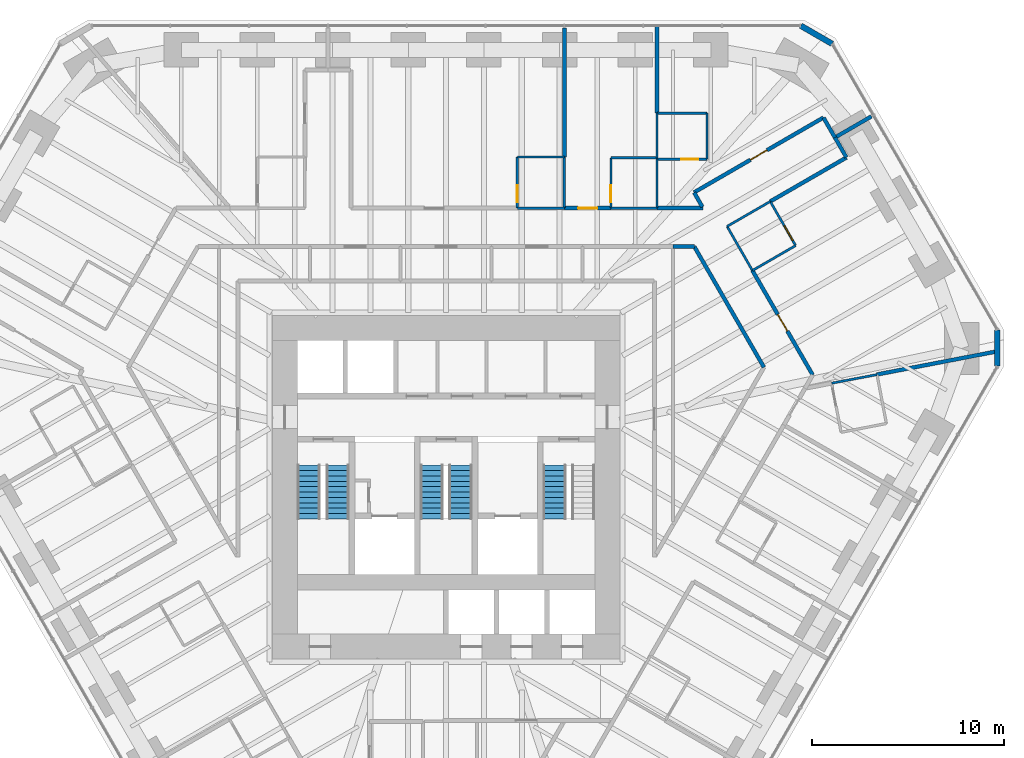
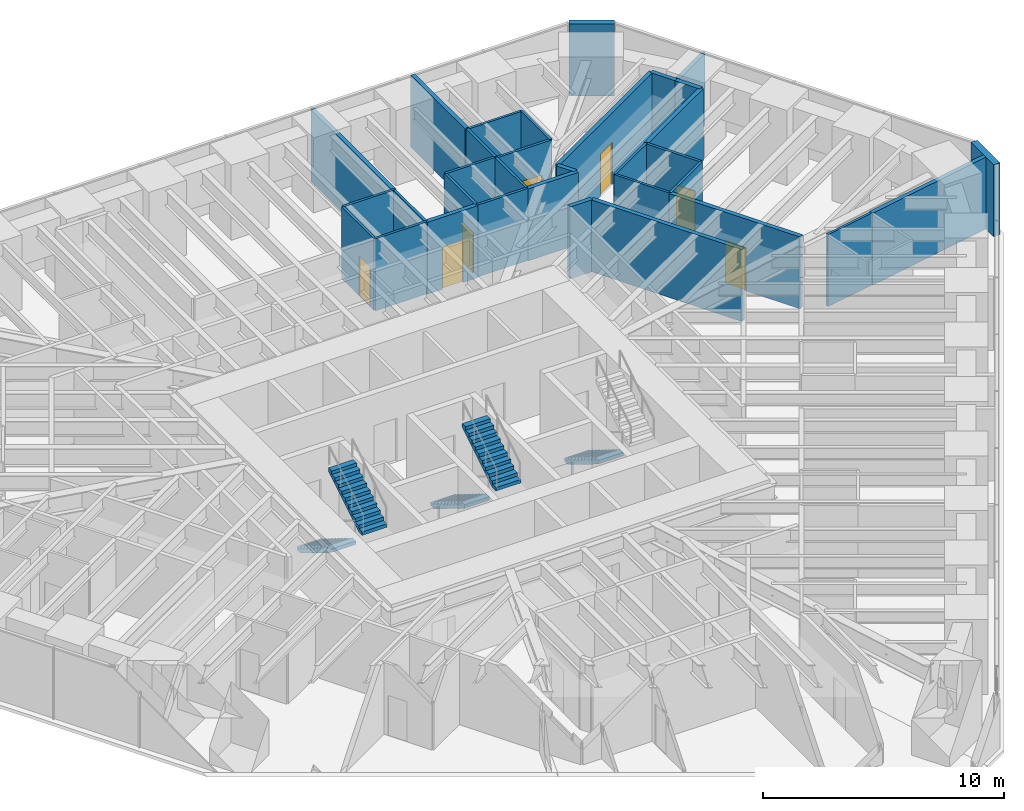
# One storey, part 15 of 17: 33 walls, 7 doors, 5 stair flights, 7 openings, 3 elements without a shape of their own.
"""IFC4 building model written with IfcOpenShell, lengths in metres."""

import ifcopenshell
import ifcopenshell.guid

model = None  # the IFC model being written
_history = None  # IfcOwnerHistory: only IFC2X3 demands one
_inside = {}  # id of a spatial element -> (the spatial element, [elements in it])
_under = {}  # id of a project, library or spatial element -> (it, [spatial elements below it])
_declared = {}  # id of a project -> (the project, [libraries it declares])
_typed = {}  # id of a type object -> (the type object, [elements of that type])
_made_of = {}  # id of a material, layer set ... -> (it, [elements and type objects made of it])


def new_model(schema):
    """Start an empty IFC model of exactly this schema.

    Asked for "IFC4X3", IfcOpenShell would pick the latest addendum, in which some entities
    have other attributes; the version numbers below select the first issue.
    IFC2X3 requires an IfcOwnerHistory on every rooted entity: one is made here for all.
    """
    global model, _history
    if schema == "IFC4X3":
        model = ifcopenshell.file(schema_version=(4, 3, 0, 0))
    else:
        model = ifcopenshell.file(schema=schema)
    _inside.clear()
    _under.clear()
    _declared.clear()
    _typed.clear()
    _made_of.clear()
    _history = None
    if model.schema == "IFC2X3":
        org = make("IfcOrganization", Name="unknown")
        user = make(
            "IfcPersonAndOrganization",
            ThePerson=make("IfcPerson", FamilyName="unknown"),
            TheOrganization=org,
        )
        app = make(
            "IfcApplication",
            ApplicationDeveloper=org,
            Version="unknown",
            ApplicationFullName="unknown",
            ApplicationIdentifier="unknown",
        )
        _history = make(
            "IfcOwnerHistory",
            OwningUser=user,
            OwningApplication=app,
            ChangeAction="ADDED",
            CreationDate=0,
        )
    return model


def make(cls, **values):
    """One entity of the class cls with the attributes given. An attribute that is None is left unset."""
    return model.create_entity(
        cls, **{name: value for name, value in values.items() if value is not None}
    )


def rooted(cls, **values):
    """An entity with a GlobalId (a new one), such as an element, a storey or a relation."""
    return make(cls, GlobalId=ifcopenshell.guid.new(), OwnerHistory=_history, **values)


def si_unit(unit_type, name, prefix=None):
    """IfcSIUnit, for example si_unit("LENGTHUNIT", "METRE", prefix="MILLI")."""
    return make("IfcSIUnit", UnitType=unit_type, Prefix=prefix, Name=name)


def assignment(units):
    """IfcUnitAssignment: the units of a project."""
    return None if units is None else make("IfcUnitAssignment", Units=units)


def point(xyz):
    """IfcCartesianPoint."""
    return None if xyz is None else make("IfcCartesianPoint", Coordinates=xyz)


def direction(xyz):
    """IfcDirection."""
    return None if xyz is None else make("IfcDirection", DirectionRatios=xyz)


def frame(location, z_axis=None, x_axis=None):
    """IfcAxis2Placement3D, a coordinate frame: its origin and axes. An axis left out is left unset."""
    return make(
        "IfcAxis2Placement3D",
        Location=point(location),
        Axis=direction(z_axis),
        RefDirection=direction(x_axis),
    )


def frame_2d(location, x_axis=None):
    """IfcAxis2Placement2D, a coordinate frame in the plane: its origin and x axis."""
    return make(
        "IfcAxis2Placement2D", Location=point(location), RefDirection=direction(x_axis)
    )


def origin():
    """The frame at (0, 0, 0) with its axes left unset."""
    return frame((0.0, 0.0, 0.0))


def place(relative_to, where):
    """IfcLocalPlacement: puts the frame where relative to a parent placement (None: the world)."""
    return make(
        "IfcLocalPlacement", PlacementRelTo=relative_to, RelativePlacement=where
    )


def context(
    kind, dimensions, precision=None, world=None, true_north=None, identifier=None
):
    """IfcGeometricRepresentationContext, for example the 3D "Model" context."""
    return make(
        "IfcGeometricRepresentationContext",
        ContextIdentifier=identifier,
        ContextType=kind,
        CoordinateSpaceDimension=dimensions,
        Precision=precision,
        WorldCoordinateSystem=world,
        TrueNorth=true_north,
    )


def subcontext(parent, identifier, kind, view, scale=None):
    """IfcGeometricRepresentationSubContext, for example "Body" below "Model"."""
    return make(
        "IfcGeometricRepresentationSubContext",
        ContextIdentifier=identifier,
        ContextType=kind,
        ParentContext=parent,
        TargetScale=scale,
        TargetView=view,
    )


def project(units=None, contexts=None):
    """IfcProject with its units and contexts."""
    return rooted(
        "IfcProject",
        Name="project",
        RepresentationContexts=contexts,
        UnitsInContext=assignment(units),
    )


def spatial(cls, under=None, at=None, **own):
    """A site, building, storey or space (cls), placed at a placement, below another one or the project."""
    s = rooted(cls, ObjectPlacement=at, **own)
    if under is not None:
        _under.setdefault(under.id(), (under, []))[1].append(s)
    return s


def polyline(points):
    """IfcPolyline through the points."""
    return make("IfcPolyline", Points=[point(p) for p in points])


def profile(cls, at=None, kind="AREA", **sizes):
    """A parametric profile (cls). Its sizes go by their IFC names, for example OverallWidth=200.0."""
    return make(cls, ProfileType=kind, Position=at, **sizes)


def rectangle(**sizes):
    """IfcRectangleProfileDef."""
    return profile("IfcRectangleProfileDef", **sizes)


def outline(outer, holes=None, kind="AREA"):
    """IfcArbitraryClosedProfileDef: a profile drawn as a closed curve; with holes, ...WithVoids."""
    if holes is None:
        return make("IfcArbitraryClosedProfileDef", ProfileType=kind, OuterCurve=outer)
    return make(
        "IfcArbitraryProfileDefWithVoids",
        ProfileType=kind,
        OuterCurve=outer,
        InnerCurves=holes,
    )


def extrude(swept, where, along, depth):
    """IfcExtrudedAreaSolid: the profile swept, set in the frame where, extruded along a direction by depth."""
    return make(
        "IfcExtrudedAreaSolid",
        SweptArea=swept,
        Position=where,
        ExtrudedDirection=direction(along),
        Depth=depth,
    )


def shape(context_of_items, identifier, shape_type, items):
    """IfcShapeRepresentation: the items that make up one representation, for example the "Body"."""
    return make(
        "IfcShapeRepresentation",
        ContextOfItems=context_of_items,
        RepresentationIdentifier=identifier,
        RepresentationType=shape_type,
        Items=items,
    )


def material(Name=None, Category=None):
    """IfcMaterial."""
    return make("IfcMaterial", Name=Name, Category=Category)


def layer(
    of_material, thickness, ventilated=None, Name=None, Category=None, Priority=None
):
    """IfcMaterialLayer: one layer of a wall or slab, of a material (None: an air gap)."""
    return make(
        "IfcMaterialLayer",
        Material=of_material,
        LayerThickness=thickness,
        IsVentilated=ventilated,
        Name=Name,
        Category=Category,
        Priority=Priority,
    )


def layer_set(layers, Name=None):
    """IfcMaterialLayerSet."""
    return make("IfcMaterialLayerSet", MaterialLayers=layers, LayerSetName=Name)


def made_of(thing, what):
    """Note that an element or type object is made of a material, layer set ...; save() writes the relation."""
    if what is not None:
        _made_of.setdefault(what.id(), (what, []))[1].append(thing)
    return thing


def type_object(cls, material=None, **own):
    """A type object (cls), such as IfcWallType, which elements share."""
    return made_of(rooted(cls, **own), material)


def element(
    cls,
    number,
    at=None,
    inside=None,
    cuts=None,
    type_object=None,
    material=None,
    context=None,
    identifier="Body",
    shape_type=None,
    held_by="IfcProductDefinitionShape",
    body=None,
    shapes=None,
    **own,
):
    """One element of the class cls, such as IfcWall. Its Tag is "e" and its number.

    at: its placement. inside: the storey or other place that contains it. cuts: it is an
    opening in that element (IfcRelVoidsElement). A single representation is given by context,
    identifier, shape_type and body (its items); several are given by shapes. held_by: the class
    of the entity that holds the representations. save() writes the other relations.
    """
    e = rooted(cls, Tag="e%d" % number, ObjectPlacement=at, **own)
    if body is not None:
        shapes = [shape(context, identifier, shape_type, body)]
    if shapes is not None:
        e.Representation = make(held_by, Representations=shapes)
    if inside is not None:
        _inside.setdefault(inside.id(), (inside, []))[1].append(e)
    if cuts is not None:
        rooted(
            "IfcRelVoidsElement", RelatingBuildingElement=cuts, RelatedOpeningElement=e
        )
    if type_object is not None:
        _typed.setdefault(type_object.id(), (type_object, []))[1].append(e)
    return made_of(e, material)


def fill(opening, filler):
    """IfcRelFillsElement: the door or window that sits in an opening."""
    return rooted(
        "IfcRelFillsElement",
        RelatingOpeningElement=opening,
        RelatedBuildingElement=filler,
    )


def aggregate(whole, parts):
    """IfcRelAggregates: a whole, such as a stair, and the parts it consists of."""
    return rooted("IfcRelAggregates", RelatingObject=whole, RelatedObjects=parts)


def save(model, path):
    """Write the relations noted so far, then the file.

    IfcRelAggregates (storeys below a building ...), IfcRelContainedInSpatialStructure (elements
    in a storey), IfcRelDefinesByType, IfcRelAssociatesMaterial and IfcRelDeclares: one each for
    every whole, place, type object, material and project.
    """
    for whole, parts in _under.values():
        aggregate(whole, parts)
    for where, things in _inside.values():
        rooted(
            "IfcRelContainedInSpatialStructure",
            RelatedElements=things,
            RelatingStructure=where,
        )
    for kind, things in _typed.values():
        rooted("IfcRelDefinesByType", RelatedObjects=things, RelatingType=kind)
    for what, things in _made_of.values():
        rooted("IfcRelAssociatesMaterial", RelatedObjects=things, RelatingMaterial=what)
    for by, libraries in _declared.values():
        rooted("IfcRelDeclares", RelatingContext=by, RelatedDefinitions=libraries)
    model.write(path)


model = new_model("IFC4")

# Units and contexts
model_context = context("Model", 3, precision=1e-05, world=origin(), true_north=direction((0.0, 1.0)))
body_context = subcontext(model_context, "Body", "Model", "MODEL_VIEW")
ifc_project = project(units=[si_unit("LENGTHUNIT", "METRE"), si_unit("AREAUNIT", "SQUARE_METRE"), si_unit("VOLUMEUNIT", "CUBIC_METRE"), si_unit("PLANEANGLEUNIT", "RADIAN"), si_unit("MASSUNIT", "GRAM", prefix="KILO")], contexts=[model_context])

# Site, building, storey
site_placement = place(None, origin())
site = spatial("IfcSite", under=ifc_project, at=site_placement, CompositionType="ELEMENT")
building_placement = place(site_placement, origin())
building = spatial("IfcBuilding", under=site, at=building_placement, Name="Sandreach Pilgrim Tower", CompositionType="ELEMENT")
storey_placement = place(building_placement, frame((0.0, 0.0, 112.0)))
storey = spatial("IfcBuildingStorey", under=building, at=storey_placement, Name="L27", CompositionType="ELEMENT", Elevation=112.0)

# Wall, opening, door
ifc_material_1 = material(Name="Moisture-resistant gypsum board on steel studs", Category="steel")
ifc_layer_1 = layer(ifc_material_1, 0.1201171875)
ifc_layer_set_1 = layer_set([ifc_layer_1], Name="Bathroom partition 120")
wall_type_1 = type_object("IfcWallType", Name="Bathroom partition 120", PredefinedType="PARTITIONING", material=ifc_layer_set_1)
wall_1_placement = place(storey_placement, frame((3.7099609375, 15.659912109375, 0.0), z_axis=(0.0, 0.0, 1.0), x_axis=(0.0, -1.0, 0.0)))
wall_1 = element("IfcWall", 1, at=wall_1_placement, inside=storey, type_object=wall_type_1, Name="Bathroom partition L27-090", PredefinedType="PARTITIONING", context=body_context, shape_type="SweptSolid", body=[
    extrude(rectangle(XDim=2.669921875, YDim=0.1201171875, at=frame_2d((1.3349609375, 0.0))), origin(), (0.0, 0.0, 1.0), 3.639892578125),
])
opening_1_placement = place(wall_1_placement, frame((1.469970703125, 0.0, 0.0)))
opening_1 = element("IfcOpeningElement", 2, at=opening_1_placement, cuts=wall_1, Name="Opening D09-02B", PredefinedType="OPENING", context=body_context, shape_type="SweptSolid", body=[
    extrude(rectangle(XDim=0.89990234375, YDim=2.030029296875, at=frame_2d((0.449951171875, 1.01513671875))), frame((0.0, 0.06005859375, 0.0), z_axis=(0.0, -1.0, 0.0), x_axis=(1.0, 0.0, 0.0)), (0.0, 0.0, 1.0), 0.1201171875),
])
ifc_material_2 = material(Name="Timber door, steel frame", Category="steel")
door_type_1 = type_object("IfcDoorType", Name="Bathroom door", OperationType="SINGLE_SWING_LEFT", PredefinedType="DOOR", material=ifc_material_2)
door_1_placement = place(opening_1_placement, origin())
door_1 = element("IfcDoor", 3, at=door_1_placement, inside=storey, type_object=door_type_1, Name="Door 2702B", OperationType="SINGLE_SWING_RIGHT", OverallHeight=2.030029296875, OverallWidth=0.89990234375, PredefinedType="DOOR", context=body_context, shape_type="SweptSolid", body=[
    extrude(rectangle(XDim=0.89990234375, YDim=2.030029296875, at=frame_2d((0.449951171875, 1.01513671875))), frame((0.0, 0.02490234375, 0.0), z_axis=(0.0, -1.0, 0.0), x_axis=(1.0, 0.0, 0.0)), (0.0, 0.0, 1.0), 0.050048828125),
])
fill(opening_1, door_1)

# Walls
for number, where, z_axis, x_axis, name in (
    (4, (6.159912109375, 12.989990234375, 0.0), (0.0, 0.0, 1.0), (-1.0, 0.0, 0.0), "Bathroom partition L27-098"),
    (5, (6.159912109375, 15.659912109375, 0.0), (0.0, 0.0, 1.0), (-1.0, 0.0, 0.0), "Bathroom partition L27-099"),
):
    element("IfcWall", number, at=place(storey_placement, frame(where, z_axis=z_axis, x_axis=x_axis)), inside=storey, type_object=wall_type_1, Name=name, PredefinedType="PARTITIONING", context=body_context, shape_type="SweptSolid", body=[
        extrude(rectangle(XDim=2.449951171875, YDim=0.1201171875, at=frame_2d((1.22509765625, 0.0))), origin(), (0.0, 0.0, 1.0), 3.639892578125),
    ])
wall_2_placement = place(storey_placement, frame((6.159912109375, 15.659912109375, 0.0), z_axis=(0.0, 0.0, 1.0), x_axis=(0.0, -1.0, 0.0)))
element("IfcWall", 6, at=wall_2_placement, inside=storey, type_object=wall_type_1, Name="Bathroom partition L27-100", PredefinedType="PARTITIONING", context=body_context, shape_type="SweptSolid", body=[
    extrude(rectangle(XDim=2.669921875, YDim=0.1201171875, at=frame_2d((1.3349609375, 0.0))), origin(), (0.0, 0.0, 1.0), 3.639892578125),
])

# Wall, opening, door
wall_3_placement = place(storey_placement, frame((8.590087890625, 15.610107421875, 0.0), z_axis=(0.0, 0.0, 1.0), x_axis=(0.0, -1.0, 0.0)))
wall_3 = element("IfcWall", 7, at=wall_3_placement, inside=storey, type_object=wall_type_1, Name="Bathroom partition L27-109", PredefinedType="PARTITIONING", context=body_context, shape_type="SweptSolid", body=[
    extrude(rectangle(XDim=2.6201171875, YDim=0.1201171875, at=frame_2d((1.31005859375, 0.0))), origin(), (0.0, 0.0, 1.0), 3.639892578125),
])
opening_2_placement = place(wall_3_placement, frame((1.419921875, 0.0, 0.0)))
opening_2 = element("IfcOpeningElement", 8, at=opening_2_placement, cuts=wall_3, Name="Opening D09-03B", PredefinedType="OPENING", context=body_context, shape_type="SweptSolid", body=[
    extrude(rectangle(XDim=0.89990234375, YDim=2.030029296875, at=frame_2d((0.449951171875, 1.01513671875))), frame((0.0, 0.06005859375, 0.0), z_axis=(0.0, -1.0, 0.0), x_axis=(1.0, 0.0, 0.0)), (0.0, 0.0, 1.0), 0.1201171875),
])
door_2_placement = place(opening_2_placement, origin())
door_2 = element("IfcDoor", 9, at=door_2_placement, inside=storey, type_object=door_type_1, Name="Door 2703B", OperationType="SINGLE_SWING_RIGHT", OverallHeight=2.030029296875, OverallWidth=0.89990234375, PredefinedType="DOOR", context=body_context, shape_type="SweptSolid", body=[
    extrude(rectangle(XDim=0.89990234375, YDim=2.030029296875, at=frame_2d((0.449951171875, 1.01513671875))), frame((0.0, 0.02490234375, 0.0), z_axis=(0.0, -1.0, 0.0), x_axis=(1.0, 0.0, 0.0)), (0.0, 0.0, 1.0), 0.050048828125),
])
fill(opening_2, door_2)

# Walls
wall_4_placement = place(storey_placement, frame((10.989990234375, 12.989990234375, 0.0), z_axis=(0.0, 0.0, 1.0), x_axis=(-1.0, 0.0, 0.0)))
element("IfcWall", 10, at=wall_4_placement, inside=storey, type_object=wall_type_1, Name="Bathroom partition L27-116", PredefinedType="PARTITIONING", context=body_context, shape_type="SweptSolid", body=[
    extrude(rectangle(XDim=2.39990234375, YDim=0.1201171875, at=frame_2d((1.199951171875, 0.0))), origin(), (0.0, 0.0, 1.0), 3.639892578125),
])
wall_5_placement = place(storey_placement, frame((10.989990234375, 15.5400390625, 0.0), z_axis=(0.0, 0.0, 1.0), x_axis=(0.0, -1.0, 0.0)))
element("IfcWall", 11, at=wall_5_placement, inside=storey, type_object=wall_type_1, Name="Bathroom partition L27-117", PredefinedType="PARTITIONING", context=body_context, shape_type="SweptSolid", body=[
    extrude(rectangle(XDim=2.550048828125, YDim=0.1201171875, at=frame_2d((1.27490234375, 0.0))), origin(), (0.0, 0.0, 1.0), 3.639892578125),
])

# Wall, opening, door
wall_6_placement = place(storey_placement, frame((10.989990234375, 15.5400390625, 0.0), z_axis=(0.0, 0.0, 1.0), x_axis=(1.0, 0.0, 0.0)))
wall_6 = element("IfcWall", 12, at=wall_6_placement, inside=storey, type_object=wall_type_1, Name="Bathroom partition L27-118", PredefinedType="PARTITIONING", context=body_context, shape_type="SweptSolid", body=[
    extrude(rectangle(XDim=2.60009765625, YDim=0.1201171875, at=frame_2d((1.300048828125, 0.0))), origin(), (0.0, 0.0, 1.0), 3.639892578125),
])
opening_3_placement = place(wall_6_placement, frame((1.25, 0.0, 0.0)))
opening_3 = element("IfcOpeningElement", 13, at=opening_3_placement, cuts=wall_6, Name="Opening D09-04B", PredefinedType="OPENING", context=body_context, shape_type="SweptSolid", body=[
    extrude(rectangle(XDim=0.89990234375, YDim=2.030029296875, at=frame_2d((0.449951171875, 1.01513671875))), frame((0.0, 0.06005859375, 0.0), z_axis=(0.0, -1.0, 0.0), x_axis=(1.0, 0.0, 0.0)), (0.0, 0.0, 1.0), 0.1201171875),
])
door_3_placement = place(opening_3_placement, origin())
door_3 = element("IfcDoor", 14, at=door_3_placement, inside=storey, type_object=door_type_1, Name="Door 2704B", OperationType="SINGLE_SWING_RIGHT", OverallHeight=2.030029296875, OverallWidth=0.89990234375, PredefinedType="DOOR", context=body_context, shape_type="SweptSolid", body=[
    extrude(rectangle(XDim=0.89990234375, YDim=2.030029296875, at=frame_2d((0.449951171875, 1.01513671875))), frame((0.0, 0.02490234375, 0.0), z_axis=(0.0, -1.0, 0.0), x_axis=(1.0, 0.0, 0.0)), (0.0, 0.0, 1.0), 0.050048828125),
])
fill(opening_3, door_3)

# Walls
wall_7_placement = place(storey_placement, frame((10.989990234375, 15.610107421875, 0.0), z_axis=(0.0, 0.0, 1.0), x_axis=(-1.0, 0.0, 0.0)))
element("IfcWall", 15, at=wall_7_placement, inside=storey, type_object=wall_type_1, Name="Bathroom partition L27-119", PredefinedType="PARTITIONING", context=body_context, shape_type="SweptSolid", body=[
    extrude(rectangle(XDim=2.39990234375, YDim=0.1201171875, at=frame_2d((1.199951171875, 0.0))), origin(), (0.0, 0.0, 1.0), 3.639892578125),
])
wall_8_placement = place(storey_placement, frame((10.989990234375, 17.93994140625, 0.0), z_axis=(0.0, 0.0, 1.0), x_axis=(0.0, -1.0, 0.0)))
element("IfcWall", 16, at=wall_8_placement, inside=storey, type_object=wall_type_1, Name="Bathroom partition L27-120", PredefinedType="PARTITIONING", context=body_context, shape_type="SweptSolid", body=[
    extrude(rectangle(XDim=2.329833984375, YDim=0.1201171875, at=frame_2d((1.1650390625, 0.0))), origin(), (0.0, 0.0, 1.0), 3.639892578125),
])
wall_9_placement = place(storey_placement, frame((13.590087890625, 15.5400390625, 0.0), z_axis=(0.0, 0.0, 1.0), x_axis=(0.0, 1.0, 0.0)))
element("IfcWall", 17, at=wall_9_placement, inside=storey, type_object=wall_type_1, Name="Bathroom partition L27-132", PredefinedType="PARTITIONING", context=body_context, shape_type="SweptSolid", body=[
    extrude(rectangle(XDim=2.39990234375, YDim=0.1201171875, at=frame_2d((1.199951171875, 0.0))), origin(), (0.0, 0.0, 1.0), 3.639892578125),
])
wall_10_placement = place(storey_placement, frame((13.590087890625, 17.93994140625, 0.0), z_axis=(0.0, 0.0, 1.0), x_axis=(-1.0, 0.0, 0.0)))
element("IfcWall", 18, at=wall_10_placement, inside=storey, type_object=wall_type_1, Name="Bathroom partition L27-133", PredefinedType="PARTITIONING", context=body_context, shape_type="SweptSolid", body=[
    extrude(rectangle(XDim=2.60009765625, YDim=0.1201171875, at=frame_2d((1.300048828125, 0.0))), origin(), (0.0, 0.0, 1.0), 3.639892578125),
])
wall_11_placement = place(storey_placement, frame((14.639892578125, 12.0400390625, 0.0), z_axis=(0.0, 0.0, 1.0), x_axis=(0.497773911185, -0.867306827682, 0.0)))
element("IfcWall", 19, at=wall_11_placement, inside=storey, type_object=wall_type_1, Name="Bathroom partition L27-136", PredefinedType="PARTITIONING", context=body_context, shape_type="SweptSolid", body=[
    extrude(rectangle(XDim=2.65185546875, YDim=0.1201171875, at=frame_2d((1.325927734375, 0.0))), origin(), (0.0, 0.0, 1.0), 3.639892578125),
])
wall_12_placement = place(storey_placement, frame((14.639892578125, 12.0400390625, 0.0), z_axis=(0.0, 0.0, 1.0), x_axis=(0.865880446098, 0.50025099007, 0.0)))
element("IfcWall", 20, at=wall_12_placement, inside=storey, type_object=wall_type_1, Name="Bathroom partition L27-137", PredefinedType="PARTITIONING", context=body_context, shape_type="SweptSolid", body=[
    extrude(rectangle(XDim=2.598876953125, YDim=0.1201171875, at=frame_2d((1.29931640625, 0.0))), origin(), (0.0, 0.0, 1.0), 3.639892578125),
])
wall_13_placement = place(storey_placement, frame((15.9599609375, 9.739990234375, 0.0), z_axis=(0.0, 0.0, 1.0), x_axis=(0.865856933682, 0.500291685314, 0.0)))
element("IfcWall", 21, at=wall_13_placement, inside=storey, type_object=wall_type_1, Name="Bathroom partition L27-139", PredefinedType="PARTITIONING", context=body_context, shape_type="SweptSolid", body=[
    extrude(rectangle(XDim=2.5986328125, YDim=0.1201171875, at=frame_2d((1.29931640625, 0.0))), origin(), (0.0, 0.0, 1.0), 3.639892578125),
])

# Wall, opening, door
wall_14_placement = place(storey_placement, frame((18.2099609375, 11.0400390625, 0.0), z_axis=(0.0, 0.0, 1.0), x_axis=(-0.497773911185, 0.867306827682, 0.0)))
wall_14 = element("IfcWall", 22, at=wall_14_placement, inside=storey, type_object=wall_type_1, Name="Bathroom partition L27-147", PredefinedType="PARTITIONING", context=body_context, shape_type="SweptSolid", body=[
    extrude(rectangle(XDim=2.65185546875, YDim=0.1201171875, at=frame_2d((1.325927734375, 0.0))), origin(), (0.0, 0.0, 1.0), 3.639892578125),
])
opening_4_placement = place(wall_14_placement, frame((0.300048828125, 0.0, 0.0)))
opening_4 = element("IfcOpeningElement", 23, at=opening_4_placement, cuts=wall_14, Name="Opening D09-05B", PredefinedType="OPENING", context=body_context, shape_type="SweptSolid", body=[
    extrude(rectangle(XDim=0.89990234375, YDim=2.030029296875, at=frame_2d((0.449951171875, 1.01513671875))), frame((0.0, 0.06005859375, 0.0), z_axis=(0.0, -1.0, 0.0), x_axis=(1.0, 0.0, 0.0)), (0.0, 0.0, 1.0), 0.1201171875),
])
door_4_placement = place(opening_4_placement, origin())
door_4 = element("IfcDoor", 24, at=door_4_placement, inside=storey, type_object=door_type_1, Name="Door 2705B", OperationType="SINGLE_SWING_LEFT", OverallHeight=2.030029296875, OverallWidth=0.89990234375, PredefinedType="DOOR", context=body_context, shape_type="SweptSolid", body=[
    extrude(rectangle(XDim=0.89990234375, YDim=2.030029296875, at=frame_2d((0.449951171875, 1.01513671875))), frame((0.0, 0.02490234375, 0.0), z_axis=(0.0, -1.0, 0.0), x_axis=(1.0, 0.0, 0.0)), (0.0, 0.0, 1.0), 0.050048828125),
])
fill(opening_4, door_4)

# Wall
wall_15_placement = place(storey_placement, frame((20.090087890625, 3.8701171875, 0.0), z_axis=(0.0, 0.0, 1.0), x_axis=(0.982497428577, 0.18627614673, 0.0)))
element("IfcWall", 25, at=wall_15_placement, inside=storey, type_object=wall_type_1, Name="Bathroom partition L27-153", PredefinedType="PARTITIONING", context=body_context, shape_type="SweptSolid", body=[
    extrude(rectangle(XDim=2.40234375, YDim=0.1201171875, at=frame_2d((1.201171875, 0.0))), origin(), (0.0, 0.0, 1.0), 3.639892578125),
])

# Wall, opening, door
ifc_material_3 = material(Name="Gypsum board on steel studs, two layers each side", Category="steel")
ifc_layer_2 = layer(ifc_material_3, 0.199951171875)
ifc_layer_set_2 = layer_set([ifc_layer_2], Name="Corridor wall 200")
wall_type_2 = type_object("IfcWallType", Name="Corridor wall 200", PredefinedType="PARTITIONING", material=ifc_layer_set_2)
wall_16_placement = place(storey_placement, frame((8.590087890625, 12.989990234375, 0.0), z_axis=(0.0, 0.0, 1.0), x_axis=(-1.0, 0.0, 0.0)))
wall_16 = element("IfcWall", 26, at=wall_16_placement, inside=storey, type_object=wall_type_2, Name="Corridor wall L27-108", PredefinedType="PARTITIONING", context=body_context, shape_type="SweptSolid", body=[
    extrude(rectangle(XDim=2.43017578125, YDim=0.199951171875, at=frame_2d((1.215087890625, 0.0))), origin(), (0.0, 0.0, 1.0), 3.639892578125),
])
opening_5_placement = place(wall_16_placement, frame((0.715087890625, 0.0, 0.0)))
opening_5 = element("IfcOpeningElement", 27, at=opening_5_placement, cuts=wall_16, Name="Opening D10-03", PredefinedType="OPENING", context=body_context, shape_type="SweptSolid", body=[
    extrude(rectangle(XDim=1.0, YDim=2.1298828125, at=frame_2d((0.5, 1.06494140625))), frame((0.0, 0.10009765625, 0.0), z_axis=(0.0, -1.0, 0.0), x_axis=(1.0, 0.0, 0.0)), (0.0, 0.0, 1.0), 0.199951171875),
])
ifc_material_4 = material(Name="Steel door and frame", Category="steel")
door_type_2 = type_object("IfcDoorType", Name="Guest room entry door", OperationType="SINGLE_SWING_LEFT", PredefinedType="DOOR", material=ifc_material_4)
door_5_placement = place(opening_5_placement, origin())
door_5 = element("IfcDoor", 28, at=door_5_placement, inside=storey, type_object=door_type_2, Name="Door 2703", OperationType="SINGLE_SWING_LEFT", OverallHeight=2.1298828125, OverallWidth=1.0, PredefinedType="DOOR", context=body_context, shape_type="SweptSolid", body=[
    extrude(rectangle(XDim=1.0, YDim=2.1298828125, at=frame_2d((0.5, 1.06494140625))), frame((0.0, 0.02490234375, 0.0), z_axis=(0.0, -1.0, 0.0), x_axis=(1.0, 0.0, 0.0)), (0.0, 0.0, 1.0), 0.050048828125),
])
fill(opening_5, door_5)

# Walls
wall_17_placement = place(storey_placement, frame((11.830078125, 10.989990234375, 0.0), z_axis=(0.0, 0.0, 1.0), x_axis=(1.0, 0.0, 0.0)))
element("IfcWall", 29, at=wall_17_placement, inside=storey, type_object=wall_type_2, Name="Corridor wall L27-126", PredefinedType="PARTITIONING", context=body_context, shape_type="SweptSolid", body=[
    extrude(rectangle(XDim=1.099853515625, YDim=0.199951171875, at=frame_2d((0.5498046875, 0.0))), origin(), (0.0, 0.0, 1.0), 3.639892578125),
])
wall_18_placement = place(storey_placement, frame((12.925048828125, 13.80126953125, 0.0), z_axis=(0.0, 0.0, 1.0), x_axis=(0.497361322706, -0.8675434944, 0.0)))
element("IfcWall", 30, at=wall_18_placement, inside=storey, type_object=wall_type_2, Name="Corridor wall L27-129", PredefinedType="PARTITIONING", context=body_context, shape_type="SweptSolid", body=[
    extrude(rectangle(XDim=0.860107421875, YDim=0.199951171875, at=frame_2d((0.43017578125, 0.0))), origin(), (0.0, 0.0, 1.0), 3.639892578125),
])
wall_19_placement = place(storey_placement, frame((12.929931640625, 10.989990234375, 0.0), z_axis=(0.0, 0.0, 1.0), x_axis=(0.4998524389, -0.866110581465, 0.0)))
element("IfcWall", 31, at=wall_19_placement, inside=storey, type_object=wall_type_2, Name="Corridor wall L27-130", PredefinedType="PARTITIONING", context=body_context, shape_type="SweptSolid", body=[
    extrude(rectangle(XDim=7.262451171875, YDim=0.199951171875, at=frame_2d((3.63134765625, 0.0))), origin(), (0.0, 0.0, 1.0), 3.639892578125),
])
wall_20_placement = place(storey_placement, frame((13.389892578125, 12.989990234375, 0.0), z_axis=(0.0, 0.0, 1.0), x_axis=(-1.0, 0.0, 0.0)))
element("IfcWall", 32, at=wall_20_placement, inside=storey, type_object=wall_type_2, Name="Corridor wall L27-131", PredefinedType="PARTITIONING", context=body_context, shape_type="SweptSolid", body=[
    extrude(rectangle(XDim=2.39990234375, YDim=0.199951171875, at=frame_2d((1.199951171875, 0.0))), origin(), (0.0, 0.0, 1.0), 3.639892578125),
])

# Wall, opening, door
wall_21_placement = place(storey_placement, frame((15.9599609375, 9.739990234375, 0.0), z_axis=(0.0, 0.0, 1.0), x_axis=(0.499926574701, -0.86606779175, 0.0)))
wall_21 = element("IfcWall", 33, at=wall_21_placement, inside=storey, type_object=wall_type_2, Name="Corridor wall L27-140", PredefinedType="PARTITIONING", context=body_context, shape_type="SweptSolid", body=[
    extrude(rectangle(XDim=6.28125, YDim=0.199951171875, at=frame_2d((3.140625, 0.0))), origin(), (0.0, 0.0, 1.0), 3.639892578125),
])
opening_6_placement = place(wall_21_placement, frame((2.640625, 0.0, 0.0)))
opening_6 = element("IfcOpeningElement", 34, at=opening_6_placement, cuts=wall_21, Name="Opening D10-05", PredefinedType="OPENING", context=body_context, shape_type="SweptSolid", body=[
    extrude(rectangle(XDim=1.0, YDim=2.1298828125, at=frame_2d((0.5, 1.06494140625))), frame((0.0, 0.10009765625, 0.0), z_axis=(0.0, -1.0, 0.0), x_axis=(1.0, 0.0, 0.0)), (0.0, 0.0, 1.0), 0.199951171875),
])
door_6_placement = place(opening_6_placement, origin())
door_6 = element("IfcDoor", 35, at=door_6_placement, inside=storey, type_object=door_type_2, Name="Door 2705", OperationType="SINGLE_SWING_LEFT", OverallHeight=2.1298828125, OverallWidth=1.0, PredefinedType="DOOR", context=body_context, shape_type="SweptSolid", body=[
    extrude(rectangle(XDim=1.0, YDim=2.1298828125, at=frame_2d((0.5, 1.06494140625))), frame((0.0, 0.02490234375, 0.0), z_axis=(0.0, -1.0, 0.0), x_axis=(1.0, 0.0, 0.0)), (0.0, 0.0, 1.0), 0.050048828125),
])
fill(opening_6, door_6)

# Wall
wall_22_placement = place(storey_placement, frame((16.889892578125, 13.340087890625, 0.0), z_axis=(0.0, 0.0, 1.0), x_axis=(0.86623967971, 0.499628679417, 0.0)))
element("IfcWall", 36, at=wall_22_placement, inside=storey, type_object=wall_type_2, Name="Corridor wall L27-144", PredefinedType="PARTITIONING", context=body_context, shape_type="SweptSolid", body=[
    extrude(rectangle(XDim=4.5830078125, YDim=0.199951171875, at=frame_2d((2.29150390625, 0.0))), origin(), (0.0, 0.0, 1.0), 3.639892578125),
])

# Wall, opening, door
wall_23_placement = place(storey_placement, frame((19.659912109375, 17.7099609375, 0.0), z_axis=(0.0, 0.0, 1.0), x_axis=(-0.865548612503, -0.500824918902, 0.0)))
wall_23 = element("IfcWall", 37, at=wall_23_placement, inside=storey, type_object=wall_type_2, Name="Corridor wall L27-150", PredefinedType="PARTITIONING", context=body_context, shape_type="SweptSolid", body=[
    extrude(rectangle(XDim=7.786865234375, YDim=0.199951171875, at=frame_2d((3.8935546875, 0.0))), origin(), (0.0, 0.0, 1.0), 3.639892578125),
])
opening_7_placement = place(wall_23_placement, frame((3.3935546875, 0.0, 0.0)))
opening_7 = element("IfcOpeningElement", 38, at=opening_7_placement, cuts=wall_23, Name="Opening D10-04", PredefinedType="OPENING", context=body_context, shape_type="SweptSolid", body=[
    extrude(rectangle(XDim=1.0, YDim=2.1298828125, at=frame_2d((0.5, 1.06494140625))), frame((0.0, 0.10009765625, 0.0), z_axis=(0.0, -1.0, 0.0), x_axis=(1.0, 0.0, 0.0)), (0.0, 0.0, 1.0), 0.199951171875),
])
door_7_placement = place(opening_7_placement, origin())
door_7 = element("IfcDoor", 39, at=door_7_placement, inside=storey, type_object=door_type_2, Name="Door 2704", OperationType="SINGLE_SWING_LEFT", OverallHeight=2.1298828125, OverallWidth=1.0, PredefinedType="DOOR", context=body_context, shape_type="SweptSolid", body=[
    extrude(rectangle(XDim=1.0, YDim=2.1298828125, at=frame_2d((0.5, 1.06494140625))), frame((0.0, 0.02490234375, 0.0), z_axis=(0.0, -1.0, 0.0), x_axis=(1.0, 0.0, 0.0)), (0.0, 0.0, 1.0), 0.050048828125),
])
fill(opening_7, door_7)

# Walls
wall_24_placement = place(storey_placement, frame((19.66748046875, 17.697021484375, 0.0), z_axis=(0.0, 0.0, 1.0), x_axis=(0.499704629046, -0.866195869137, 0.0)))
element("IfcWall", 40, at=wall_24_placement, inside=storey, type_object=wall_type_2, Name="Corridor wall L27-151", PredefinedType="PARTITIONING", context=body_context, shape_type="SweptSolid", body=[
    extrude(rectangle(XDim=1.185791015625, YDim=0.199951171875, at=frame_2d((0.5927734375, 0.0))), origin(), (0.0, 0.0, 1.0), 3.639892578125),
])
wall_25_placement = place(storey_placement, frame((20.260009765625, 16.669921875, 0.0), z_axis=(0.0, 0.0, 1.0), x_axis=(0.499734288277, -0.866178758179, 0.0)))
element("IfcWall", 41, at=wall_25_placement, inside=storey, type_object=wall_type_2, Name="Corridor wall L27-154", PredefinedType="PARTITIONING", context=body_context, shape_type="SweptSolid", body=[
    extrude(rectangle(XDim=1.190673828125, YDim=0.199951171875, at=frame_2d((0.59521484375, 0.0))), origin(), (0.0, 0.0, 1.0), 3.639892578125),
])
ifc_material_5 = material(Name="Double steel stud acoustic wall, gypsum board", Category="steel")
ifc_layer_3 = layer(ifc_material_5, 0.199951171875)
ifc_layer_set_3 = layer_set([ifc_layer_3], Name="Party wall 200")
wall_type_3 = type_object("IfcWallType", Name="Party wall 200", PredefinedType="PARTITIONING", material=ifc_layer_set_3)
wall_26_placement = place(storey_placement, frame((6.159912109375, 22.3701171875, 0.0), z_axis=(0.0, 0.0, 1.0), x_axis=(0.0, -1.0, 0.0)))
element("IfcWall", 42, at=wall_26_placement, inside=storey, type_object=wall_type_3, Name="Party wall L27-101", PredefinedType="PARTITIONING", context=body_context, shape_type="SweptSolid", body=[
    extrude(rectangle(XDim=6.710205078125, YDim=0.199951171875, at=frame_2d((3.35498046875, 0.0))), origin(), (0.0, 0.0, 1.0), 3.639892578125),
])
wall_27_placement = place(storey_placement, frame((10.989990234375, 22.4599609375, 0.0), z_axis=(0.0, 0.0, 1.0), x_axis=(0.0, -1.0, 0.0)))
element("IfcWall", 43, at=wall_27_placement, inside=storey, type_object=wall_type_3, Name="Party wall L27-121", PredefinedType="PARTITIONING", context=body_context, shape_type="SweptSolid", body=[
    extrude(rectangle(XDim=4.52001953125, YDim=0.199951171875, at=frame_2d((2.260009765625, 0.0))), origin(), (0.0, 0.0, 1.0), 3.639892578125),
])
wall_28_placement = place(storey_placement, frame((22.15625, 17.769775390625, 0.0), z_axis=(0.0, 0.0, 1.0), x_axis=(-0.865037029405, -0.501708020425, 0.0)))
element("IfcWall", 44, at=wall_28_placement, inside=storey, type_object=wall_type_3, Name="Party wall L27-156", PredefinedType="PARTITIONING", context=body_context, shape_type="SweptSolid", body=[
    extrude(rectangle(XDim=2.17724609375, YDim=0.199951171875, at=frame_2d((1.088623046875, 0.0))), origin(), (0.0, 0.0, 1.0), 3.639892578125),
])
wall_29_placement = place(storey_placement, frame((22.44921875, 4.32421875, 0.0), z_axis=(0.0, 0.0, 1.0), x_axis=(0.981996388644, 0.188899689492, 0.0)))
element("IfcWall", 45, at=wall_29_placement, inside=storey, type_object=wall_type_3, Name="Party wall L27-157", PredefinedType="PARTITIONING", context=body_context, shape_type="SweptSolid", body=[
    extrude(rectangle(XDim=6.406494140625, YDim=0.199951171875, at=frame_2d((3.203125, 0.0))), origin(), (0.0, 0.0, 1.0), 3.639892578125),
])
ifc_material_6 = material(Name="Terracotta rainscreen on concrete", Category="masonry")
ifc_layer_4 = layer(ifc_material_6, 0.300048828125)
ifc_layer_set_4 = layer_set([ifc_layer_4], Name="Terracotta chamfer pier")
wall_type_4 = type_object("IfcWallType", Name="Terracotta chamfer pier", PredefinedType="SOLIDWALL", material=ifc_layer_set_4)
wall_30_placement = place(storey_placement, frame((18.4814453125, 22.493896484375, 0.0), z_axis=(0.0, 0.0, 1.0), x_axis=(0.865988793993, -0.500063404658, 0.0)))
element("IfcWall", 46, at=wall_30_placement, inside=storey, type_object=wall_type_4, Name="Chamfer pier L27 N", PredefinedType="SOLIDWALL", context=body_context, shape_type="SweptSolid", body=[
    extrude(rectangle(XDim=1.880126953125, YDim=0.300048828125, at=frame_2d((0.93994140625, 0.0))), origin(), (0.0, 0.0, 1.0), 3.639892578125),
])
wall_31_placement = place(storey_placement, frame((28.720947265625, 6.638427734375, 0.0), z_axis=(0.0, 0.0, 1.0), x_axis=(0.0, -1.0, 0.0)))
element("IfcWall", 47, at=wall_31_placement, inside=storey, type_object=wall_type_4, Name="Chamfer pier L27 NE", PredefinedType="SOLIDWALL", context=body_context, shape_type="SweptSolid", body=[
    extrude(rectangle(XDim=1.8798828125, YDim=0.300048828125, at=frame_2d((0.93994140625, 0.0))), origin(), (0.0, 0.0, 1.0), 3.639892578125),
])

# Stair, stair flights
ifc_material_7 = material(Name="Concrete 8000 psi", Category="concrete")
stair_type = type_object("IfcStairType", Name="Core exit stair", PredefinedType="HALF_TURN_STAIR", material=ifc_material_7)
stair_1_placement = place(storey_placement, origin())
stair_1 = element("IfcStair", 48, at=stair_1_placement, inside=storey, type_object=stair_type, Name="Exit stair ST1 L27", PredefinedType="HALF_TURN_STAIR")
ifc_material_8 = material(Name="Concrete 8000 psi", Category="concrete")
stair_flight_type = type_object("IfcStairFlightType", Name="Core stair flight 1200", PredefinedType="STRAIGHT", material=ifc_material_8)
stair_flight_1_placement = place(storey_placement, frame((-7.14990234375, -0.39990234375, 0.0), z_axis=(0.0, 0.0, 1.0), x_axis=(0.0, -1.0, 0.0)))
stair_flight_1 = element("IfcStairFlight", 49, at=stair_flight_1_placement, type_object=stair_flight_type, Name="ST1 flight 1", NumberOfRisers=11, NumberOfTreads=10, PredefinedType="STRAIGHT", RiserHeight=0.172727273, TreadLength=0.28, context=body_context, shape_type="SweptSolid", body=[
    extrude(outline(polyline([(0.0, 0.0), (0.0, 0.172607421875), (0.280029296875, 0.172607421875), (0.280029296875, 0.345458984375), (0.56005859375, 0.345458984375), (0.56005859375, 0.51806640625), (0.840087890625, 0.51806640625), (0.840087890625, 0.69091796875), (1.1201171875, 0.69091796875), (1.1201171875, 0.863525390625), (1.39990234375, 0.863525390625), (1.39990234375, 1.036376953125), (1.679931640625, 1.036376953125), (1.679931640625, 1.208984375), (1.9599609375, 1.208984375), (1.9599609375, 1.3818359375), (2.239990234375, 1.3818359375), (2.239990234375, 1.554443359375), (2.52001953125, 1.554443359375), (2.52001953125, 1.727294921875), (2.800048828125, 1.727294921875), (2.800048828125, 1.89990234375), (2.800048828125, 1.551025390625), (0.285400390625, 0.0), (0.0, 0.0)])), frame((0.0, 0.60009765625, 0.0), z_axis=(0.0, -1.0, 0.0), x_axis=(1.0, 0.0, 0.0)), (0.0, 0.0, 1.0), 1.199951171875),
])
stair_flight_2_placement = place(storey_placement, frame((-5.64990234375, -3.199951171875, 1.89990234375), z_axis=(0.0, 0.0, 1.0), x_axis=(0.0, 1.0, 0.0)))
stair_flight_2 = element("IfcStairFlight", 50, at=stair_flight_2_placement, type_object=stair_flight_type, Name="ST1 flight 2", NumberOfRisers=11, NumberOfTreads=10, PredefinedType="STRAIGHT", RiserHeight=0.172727273, TreadLength=0.28, context=body_context, shape_type="SweptSolid", body=[
    extrude(outline(polyline([(0.0, 0.0), (0.0, 0.172607421875), (0.280029296875, 0.172607421875), (0.280029296875, 0.345458984375), (0.56005859375, 0.345458984375), (0.56005859375, 0.51806640625), (0.840087890625, 0.51806640625), (0.840087890625, 0.69091796875), (1.1201171875, 0.69091796875), (1.1201171875, 0.863525390625), (1.39990234375, 0.863525390625), (1.39990234375, 1.036376953125), (1.679931640625, 1.036376953125), (1.679931640625, 1.208984375), (1.9599609375, 1.208984375), (1.9599609375, 1.3818359375), (2.239990234375, 1.3818359375), (2.239990234375, 1.554443359375), (2.52001953125, 1.554443359375), (2.52001953125, 1.727294921875), (2.800048828125, 1.727294921875), (2.800048828125, 1.89990234375), (2.800048828125, 1.551025390625), (0.285400390625, 0.0), (0.0, 0.0)])), frame((0.0, 0.60009765625, 0.0), z_axis=(0.0, -1.0, 0.0), x_axis=(1.0, 0.0, 0.0)), (0.0, 0.0, 1.0), 1.199951171875),
])
aggregate(stair_1, [stair_flight_1, stair_flight_2])

stair_2_placement = place(storey_placement, origin())
stair_2 = element("IfcStair", 51, at=stair_2_placement, inside=storey, type_object=stair_type, Name="Exit stair ST3 L27", PredefinedType="HALF_TURN_STAIR")
stair_flight_3_placement = place(storey_placement, frame((-0.75, -0.39990234375, 0.0), z_axis=(0.0, 0.0, 1.0), x_axis=(0.0, -1.0, 0.0)))
stair_flight_3 = element("IfcStairFlight", 52, at=stair_flight_3_placement, type_object=stair_flight_type, Name="ST3 flight 1", NumberOfRisers=11, NumberOfTreads=10, PredefinedType="STRAIGHT", RiserHeight=0.172727273, TreadLength=0.28, context=body_context, shape_type="SweptSolid", body=[
    extrude(outline(polyline([(0.0, 0.0), (0.0, 0.172607421875), (0.280029296875, 0.172607421875), (0.280029296875, 0.345458984375), (0.56005859375, 0.345458984375), (0.56005859375, 0.51806640625), (0.840087890625, 0.51806640625), (0.840087890625, 0.69091796875), (1.1201171875, 0.69091796875), (1.1201171875, 0.863525390625), (1.39990234375, 0.863525390625), (1.39990234375, 1.036376953125), (1.679931640625, 1.036376953125), (1.679931640625, 1.208984375), (1.9599609375, 1.208984375), (1.9599609375, 1.3818359375), (2.239990234375, 1.3818359375), (2.239990234375, 1.554443359375), (2.52001953125, 1.554443359375), (2.52001953125, 1.727294921875), (2.800048828125, 1.727294921875), (2.800048828125, 1.89990234375), (2.800048828125, 1.551025390625), (0.285400390625, 0.0), (0.0, 0.0)])), frame((0.0, 0.60009765625, 0.0), z_axis=(0.0, -1.0, 0.0), x_axis=(1.0, 0.0, 0.0)), (0.0, 0.0, 1.0), 1.199951171875),
])
stair_flight_4_placement = place(storey_placement, frame((0.75, -3.199951171875, 1.89990234375), z_axis=(0.0, 0.0, 1.0), x_axis=(0.0, 1.0, 0.0)))
stair_flight_4 = element("IfcStairFlight", 53, at=stair_flight_4_placement, type_object=stair_flight_type, Name="ST3 flight 2", NumberOfRisers=11, NumberOfTreads=10, PredefinedType="STRAIGHT", RiserHeight=0.172727273, TreadLength=0.28, context=body_context, shape_type="SweptSolid", body=[
    extrude(outline(polyline([(0.0, 0.0), (0.0, 0.172607421875), (0.280029296875, 0.172607421875), (0.280029296875, 0.345458984375), (0.56005859375, 0.345458984375), (0.56005859375, 0.51806640625), (0.840087890625, 0.51806640625), (0.840087890625, 0.69091796875), (1.1201171875, 0.69091796875), (1.1201171875, 0.863525390625), (1.39990234375, 0.863525390625), (1.39990234375, 1.036376953125), (1.679931640625, 1.036376953125), (1.679931640625, 1.208984375), (1.9599609375, 1.208984375), (1.9599609375, 1.3818359375), (2.239990234375, 1.3818359375), (2.239990234375, 1.554443359375), (2.52001953125, 1.554443359375), (2.52001953125, 1.727294921875), (2.800048828125, 1.727294921875), (2.800048828125, 1.89990234375), (2.800048828125, 1.551025390625), (0.285400390625, 0.0), (0.0, 0.0)])), frame((0.0, 0.60009765625, 0.0), z_axis=(0.0, -1.0, 0.0), x_axis=(1.0, 0.0, 0.0)), (0.0, 0.0, 1.0), 1.199951171875),
])
aggregate(stair_2, [stair_flight_3, stair_flight_4])

# Stair, stair flight
stair_3_placement = place(storey_placement, origin())
stair_3 = element("IfcStair", 54, at=stair_3_placement, inside=storey, type_object=stair_type, Name="Exit stair ST2 L27", PredefinedType="HALF_TURN_STAIR")
stair_flight_5_placement = place(storey_placement, frame((5.64990234375, -0.39990234375, 0.0), z_axis=(0.0, 0.0, 1.0), x_axis=(0.0, -1.0, 0.0)))
stair_flight_5 = element("IfcStairFlight", 55, at=stair_flight_5_placement, type_object=stair_flight_type, Name="ST2 flight 1", NumberOfRisers=11, NumberOfTreads=10, PredefinedType="STRAIGHT", RiserHeight=0.172727273, TreadLength=0.28, context=body_context, shape_type="SweptSolid", body=[
    extrude(outline(polyline([(0.0, 0.0), (0.0, 0.172607421875), (0.280029296875, 0.172607421875), (0.280029296875, 0.345458984375), (0.56005859375, 0.345458984375), (0.56005859375, 0.51806640625), (0.840087890625, 0.51806640625), (0.840087890625, 0.69091796875), (1.1201171875, 0.69091796875), (1.1201171875, 0.863525390625), (1.39990234375, 0.863525390625), (1.39990234375, 1.036376953125), (1.679931640625, 1.036376953125), (1.679931640625, 1.208984375), (1.9599609375, 1.208984375), (1.9599609375, 1.3818359375), (2.239990234375, 1.3818359375), (2.239990234375, 1.554443359375), (2.52001953125, 1.554443359375), (2.52001953125, 1.727294921875), (2.800048828125, 1.727294921875), (2.800048828125, 1.89990234375), (2.800048828125, 1.551025390625), (0.285400390625, 0.0), (0.0, 0.0)])), frame((0.0, 0.60009765625, 0.0), z_axis=(0.0, -1.0, 0.0), x_axis=(1.0, 0.0, 0.0)), (0.0, 0.0, 1.0), 1.199951171875),
])
aggregate(stair_3, [stair_flight_5])

save(model, "model.ifc")
